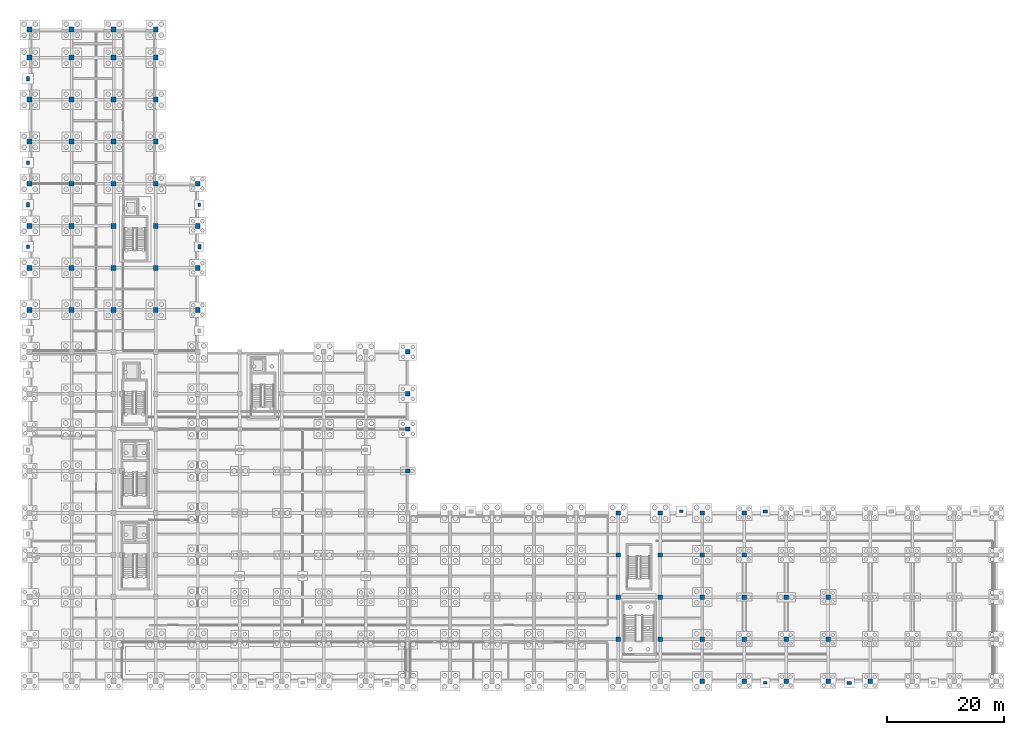
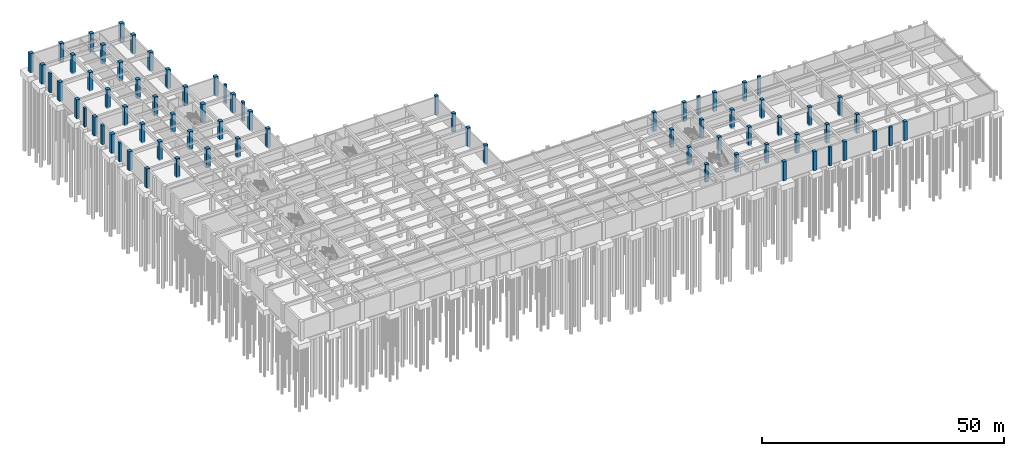
# One storey, part 10 of 28: 75 columns.
"""IFC4 building model written with IfcOpenShell, lengths in metres."""

from ifc_helpers import new_model, si_unit, direction, frame, origin, origin_2d, place, context, subcontext, project, spatial, rectangle, extrude, material, material_profile, profile_set, type_object, element, save


model = new_model("IFC4")

# Units and contexts
model_context = context("Model", 3, precision=1e-05, world=origin(), true_north=direction((0.0, 1.0)))
body_context = subcontext(model_context, "Body", "Model", "MODEL_VIEW")
ifc_project = project(units=[si_unit("LENGTHUNIT", "METRE"), si_unit("AREAUNIT", "SQUARE_METRE"), si_unit("VOLUMEUNIT", "CUBIC_METRE"), si_unit("PLANEANGLEUNIT", "RADIAN"), si_unit("MASSUNIT", "GRAM", prefix="KILO")], contexts=[model_context])

# Site, building, storey
site_placement = place(None, origin())
site = spatial("IfcSite", under=ifc_project, at=site_placement, CompositionType="ELEMENT")
building_placement = place(site_placement, origin())
building = spatial("IfcBuilding", under=site, at=building_placement, Name="Alvorim Cloister Faculty of Sciences", CompositionType="ELEMENT")
storey_placement = place(building_placement, frame((0.0, 0.0, -4.5)))
storey = spatial("IfcBuildingStorey", under=building, at=storey_placement, Name="B01", CompositionType="ELEMENT", Elevation=-4.5)

# Columns
ifc_material_1 = material(Name="Concrete C40", Category="concrete")
ifc_material_profile_1 = material_profile(ifc_material_1, rectangle(XDim=0.75, YDim=0.75, at=origin_2d()), Name="RC40-COL-750x750")
ifc_profile_set_1 = profile_set([ifc_material_profile_1], Name="Concrete C40")
column_type_1 = type_object("IfcColumnType", Name="COL-RC-750", PredefinedType="COLUMN", material=ifc_profile_set_1)
for number, where, z_axis, x_axis, name in (
    (1, (64.800048828125, 36.0, -0.300048828125), (0.0, 0.0, 1.0), (1.0, 0.0, 0.0), "B01 Column COL-0126"),
    (2, (64.800048828125, 43.199951171875, -0.300048828125), (0.0, 0.0, 1.0), (1.0, 0.0, 0.0), "B01 Column COL-0127"),
    (3, (64.800048828125, 49.199951171875, -0.300048828125), (0.0, 0.0, 1.0), (1.0, 0.0, 0.0), "B01 Column COL-0128"),
    (4, (64.800048828125, 56.39990234375, -0.300048828125), (0.0, 0.0, 1.0), (1.0, 0.0, 0.0), "B01 Column COL-0129"),
):
    element("IfcColumn", number, at=place(storey_placement, frame(where, z_axis=z_axis, x_axis=x_axis)), inside=storey, type_object=column_type_1, Name=name, PredefinedType="COLUMN", context=body_context, shape_type="SweptSolid", body=[
        extrude(rectangle(XDim=0.75, YDim=0.75, at=origin_2d()), origin(), (0.0, 0.0, 1.0), 4.800048828125),
    ])
for number, where, z_axis, x_axis, name in (
    (5, (100.800048828125, 7.199951171875, 0.0), (0.0, 0.0, 1.0), (1.0, 0.0, 0.0), "B01 Column COL-0151"),
    (6, (100.800048828125, 14.39990234375, 0.0), (0.0, 0.0, 1.0), (1.0, 0.0, 0.0), "B01 Column COL-0152"),
    (7, (100.800048828125, 21.60009765625, 0.0), (0.0, 0.0, 1.0), (1.0, 0.0, 0.0), "B01 Column COL-0153"),
):
    element("IfcColumn", number, at=place(storey_placement, frame(where, z_axis=z_axis, x_axis=x_axis)), inside=storey, type_object=column_type_1, Name=name, PredefinedType="COLUMN", context=body_context, shape_type="SweptSolid", body=[
        extrude(rectangle(XDim=0.75, YDim=0.75, at=origin_2d()), origin(), (0.0, 0.0, 1.0), 4.5),
    ])
column_1_placement = place(storey_placement, frame((100.800048828125, 28.800048828125, -0.300048828125), z_axis=(0.0, 0.0, 1.0), x_axis=(1.0, 0.0, 0.0)))
element("IfcColumn", 8, at=column_1_placement, inside=storey, type_object=column_type_1, Name="B01 Column COL-0154", PredefinedType="COLUMN", context=body_context, shape_type="SweptSolid", body=[
    extrude(rectangle(XDim=0.75, YDim=0.75, at=origin_2d()), origin(), (0.0, 0.0, 1.0), 4.800048828125),
])
for number, where, z_axis, x_axis, name in (
    (9, (108.0, 7.199951171875, 0.0), (0.0, 0.0, 1.0), (1.0, 0.0, 0.0), "B01 Column COL-0156"),
    (10, (108.0, 14.39990234375, 0.0), (0.0, 0.0, 1.0), (1.0, 0.0, 0.0), "B01 Column COL-0157"),
    (11, (108.0, 21.60009765625, 0.0), (0.0, 0.0, 1.0), (1.0, 0.0, 0.0), "B01 Column COL-0158"),
):
    element("IfcColumn", number, at=place(storey_placement, frame(where, z_axis=z_axis, x_axis=x_axis)), inside=storey, type_object=column_type_1, Name=name, PredefinedType="COLUMN", context=body_context, shape_type="SweptSolid", body=[
        extrude(rectangle(XDim=0.75, YDim=0.75, at=origin_2d()), origin(), (0.0, 0.0, 1.0), 4.5),
    ])
for number, where, z_axis, x_axis, name in (
    (12, (108.0, 28.800048828125, -0.300048828125), (0.0, 0.0, 1.0), (1.0, 0.0, 0.0), "B01 Column COL-0159"),
    (13, (115.199951171875, 0.0, -0.300048828125), (0.0, 0.0, 1.0), (1.0, 0.0, 0.0), "B01 Column COL-0160"),
    (14, (115.199951171875, 7.199951171875, -0.300048828125), (0.0, 0.0, 1.0), (1.0, 0.0, 0.0), "B01 Column COL-0161"),
    (15, (115.199951171875, 14.39990234375, -0.300048828125), (0.0, 0.0, 1.0), (1.0, 0.0, 0.0), "B01 Column COL-0162"),
    (16, (115.199951171875, 21.60009765625, -0.300048828125), (0.0, 0.0, 1.0), (1.0, 0.0, 0.0), "B01 Column COL-0163"),
    (17, (115.199951171875, 28.800048828125, -0.300048828125), (0.0, 0.0, 1.0), (1.0, 0.0, 0.0), "B01 Column COL-0164"),
):
    element("IfcColumn", number, at=place(storey_placement, frame(where, z_axis=z_axis, x_axis=x_axis)), inside=storey, type_object=column_type_1, Name=name, PredefinedType="COLUMN", context=body_context, shape_type="SweptSolid", body=[
        extrude(rectangle(XDim=0.75, YDim=0.75, at=origin_2d()), origin(), (0.0, 0.0, 1.0), 4.800048828125),
    ])
for number, where, z_axis, x_axis, name in (
    (18, (122.39990234375, 0.0, -0.280029296875), (0.0, 0.0, 1.0), (1.0, 0.0, 0.0), "B01 Column COL-0165"),
    (19, (122.39990234375, 7.199951171875, -0.280029296875), (0.0, 0.0, 1.0), (1.0, 0.0, 0.0), "B01 Column COL-0166"),
    (20, (122.39990234375, 14.39990234375, -0.280029296875), (0.0, 0.0, 1.0), (1.0, 0.0, 0.0), "B01 Column COL-0167"),
    (21, (122.39990234375, 21.60009765625, -0.280029296875), (0.0, 0.0, 1.0), (1.0, 0.0, 0.0), "B01 Column COL-0168"),
    (22, (122.39990234375, 28.800048828125, -0.280029296875), (0.0, 0.0, 1.0), (1.0, 0.0, 0.0), "B01 Column COL-0169"),
    (23, (129.60009765625, 0.0, -0.280029296875), (0.0, 0.0, 1.0), (1.0, 0.0, 0.0), "B01 Column COL-0170"),
    (24, (129.60009765625, 7.199951171875, -0.280029296875), (0.0, 0.0, 1.0), (1.0, 0.0, 0.0), "B01 Column COL-0171"),
    (25, (129.60009765625, 14.39990234375, -0.280029296875), (0.0, 0.0, 1.0), (1.0, 0.0, 0.0), "B01 Column COL-0172"),
    (26, (136.800048828125, 0.0, -0.280029296875), (0.0, 0.0, 1.0), (1.0, 0.0, 0.0), "B01 Column COL-0175"),
    (27, (136.800048828125, 7.199951171875, -0.280029296875), (0.0, 0.0, 1.0), (1.0, 0.0, 0.0), "B01 Column COL-0176"),
    (28, (136.800048828125, 14.39990234375, -0.280029296875), (0.0, 0.0, 1.0), (1.0, 0.0, 0.0), "B01 Column COL-0177"),
    (29, (144.0, 0.0, -0.280029296875), (0.0, 0.0, 1.0), (1.0, 0.0, 0.0), "B01 Column COL-0180"),
):
    element("IfcColumn", number, at=place(storey_placement, frame(where, z_axis=z_axis, x_axis=x_axis)), inside=storey, type_object=column_type_1, Name=name, PredefinedType="COLUMN", context=body_context, shape_type="SweptSolid", body=[
        extrude(rectangle(XDim=0.75, YDim=0.75, at=origin_2d()), origin(), (0.0, 0.0, 1.0), 4.780029296875),
    ])
ifc_material_profile_2 = material_profile(ifc_material_1, rectangle(XDim=0.85009765625, YDim=0.85009765625, at=origin_2d()), Name="RC40-COL-850x850")
ifc_profile_set_2 = profile_set([ifc_material_profile_2], Name="Concrete C40")
column_type_2 = type_object("IfcColumnType", Name="COL-RC-850", PredefinedType="COLUMN", material=ifc_profile_set_2)
for number, where, z_axis, x_axis, name in (
    (30, (0.0, 63.60009765625, -0.280029296875), (0.0, 0.0, 1.0), (1.0, 0.0, 0.0), "B01 Column COL-0010"),
    (31, (0.0, 70.800048828125, -0.280029296875), (0.0, 0.0, 1.0), (1.0, 0.0, 0.0), "B01 Column COL-0011"),
    (32, (0.0, 78.0, -0.280029296875), (0.0, 0.0, 1.0), (1.0, 0.0, 0.0), "B01 Column COL-0012"),
    (33, (0.0, 85.199951171875, -0.280029296875), (0.0, 0.0, 1.0), (1.0, 0.0, 0.0), "B01 Column COL-0013"),
    (34, (0.0, 92.39990234375, -0.280029296875), (0.0, 0.0, 1.0), (1.0, 0.0, 0.0), "B01 Column COL-0014"),
    (35, (0.0, 99.60009765625, -0.280029296875), (0.0, 0.0, 1.0), (1.0, 0.0, 0.0), "B01 Column COL-0015"),
    (36, (0.0, 106.800048828125, -0.280029296875), (0.0, 0.0, 1.0), (1.0, 0.0, 0.0), "B01 Column COL-0016"),
    (37, (0.0, 111.60009765625, -0.280029296875), (0.0, 0.0, 1.0), (1.0, 0.0, 0.0), "B01 Column COL-0017"),
    (38, (7.199951171875, 63.60009765625, -0.280029296875), (0.0, 0.0, 1.0), (1.0, 0.0, 0.0), "B01 Column COL-0027"),
    (39, (7.199951171875, 70.800048828125, -0.280029296875), (0.0, 0.0, 1.0), (1.0, 0.0, 0.0), "B01 Column COL-0028"),
    (40, (7.199951171875, 78.0, -0.280029296875), (0.0, 0.0, 1.0), (1.0, 0.0, 0.0), "B01 Column COL-0029"),
    (41, (7.199951171875, 85.199951171875, -0.280029296875), (0.0, 0.0, 1.0), (1.0, 0.0, 0.0), "B01 Column COL-0030"),
    (42, (7.199951171875, 92.39990234375, -0.280029296875), (0.0, 0.0, 1.0), (1.0, 0.0, 0.0), "B01 Column COL-0031"),
    (43, (7.199951171875, 99.60009765625, -0.280029296875), (0.0, 0.0, 1.0), (1.0, 0.0, 0.0), "B01 Column COL-0032"),
    (44, (7.199951171875, 106.800048828125, -0.280029296875), (0.0, 0.0, 1.0), (1.0, 0.0, 0.0), "B01 Column COL-0033"),
    (45, (7.199951171875, 111.60009765625, -0.280029296875), (0.0, 0.0, 1.0), (1.0, 0.0, 0.0), "B01 Column COL-0034"),
    (46, (14.39990234375, 63.60009765625, -0.280029296875), (0.0, 0.0, 1.0), (1.0, 0.0, 0.0), "B01 Column COL-0044"),
):
    element("IfcColumn", number, at=place(storey_placement, frame(where, z_axis=z_axis, x_axis=x_axis)), inside=storey, type_object=column_type_2, Name=name, PredefinedType="COLUMN", context=body_context, shape_type="SweptSolid", body=[
        extrude(rectangle(XDim=0.85009765625, YDim=0.85009765625, at=origin_2d()), origin(), (0.0, 0.0, 1.0), 4.780029296875),
    ])
for number, where, z_axis, x_axis, name in (
    (47, (14.39990234375, 70.800048828125, 0.0), (0.0, 0.0, 1.0), (1.0, 0.0, 0.0), "B01 Column COL-0045"),
    (48, (14.39990234375, 78.0, 0.0), (0.0, 0.0, 1.0), (1.0, 0.0, 0.0), "B01 Column COL-0046"),
):
    element("IfcColumn", number, at=place(storey_placement, frame(where, z_axis=z_axis, x_axis=x_axis)), inside=storey, type_object=column_type_2, Name=name, PredefinedType="COLUMN", context=body_context, shape_type="SweptSolid", body=[
        extrude(rectangle(XDim=0.85009765625, YDim=0.85009765625, at=origin_2d()), origin(), (0.0, 0.0, 1.0), 4.5),
    ])
for number, where, z_axis, x_axis, name in (
    (49, (14.39990234375, 85.199951171875, -0.280029296875), (0.0, 0.0, 1.0), (1.0, 0.0, 0.0), "B01 Column COL-0047"),
    (50, (14.39990234375, 92.39990234375, -0.280029296875), (0.0, 0.0, 1.0), (1.0, 0.0, 0.0), "B01 Column COL-0048"),
    (51, (14.39990234375, 99.60009765625, -0.280029296875), (0.0, 0.0, 1.0), (1.0, 0.0, 0.0), "B01 Column COL-0049"),
    (52, (14.39990234375, 106.800048828125, -0.280029296875), (0.0, 0.0, 1.0), (1.0, 0.0, 0.0), "B01 Column COL-0050"),
    (53, (14.39990234375, 111.60009765625, -0.280029296875), (0.0, 0.0, 1.0), (1.0, 0.0, 0.0), "B01 Column COL-0051"),
    (54, (21.60009765625, 63.60009765625, -0.280029296875), (0.0, 0.0, 1.0), (1.0, 0.0, 0.0), "B01 Column COL-0064"),
):
    element("IfcColumn", number, at=place(storey_placement, frame(where, z_axis=z_axis, x_axis=x_axis)), inside=storey, type_object=column_type_2, Name=name, PredefinedType="COLUMN", context=body_context, shape_type="SweptSolid", body=[
        extrude(rectangle(XDim=0.85009765625, YDim=0.85009765625, at=origin_2d()), origin(), (0.0, 0.0, 1.0), 4.780029296875),
    ])
for number, where, z_axis, x_axis, name in (
    (55, (21.60009765625, 70.800048828125, 0.0), (0.0, 0.0, 1.0), (1.0, 0.0, 0.0), "B01 Column COL-0065"),
    (56, (21.60009765625, 78.0, 0.0), (0.0, 0.0, 1.0), (1.0, 0.0, 0.0), "B01 Column COL-0066"),
):
    element("IfcColumn", number, at=place(storey_placement, frame(where, z_axis=z_axis, x_axis=x_axis)), inside=storey, type_object=column_type_2, Name=name, PredefinedType="COLUMN", context=body_context, shape_type="SweptSolid", body=[
        extrude(rectangle(XDim=0.85009765625, YDim=0.85009765625, at=origin_2d()), origin(), (0.0, 0.0, 1.0), 4.5),
    ])
for number, where, z_axis, x_axis, name in (
    (57, (21.60009765625, 85.199951171875, -0.280029296875), (0.0, 0.0, 1.0), (1.0, 0.0, 0.0), "B01 Column COL-0067"),
    (58, (21.60009765625, 92.39990234375, -0.280029296875), (0.0, 0.0, 1.0), (1.0, 0.0, 0.0), "B01 Column COL-0068"),
    (59, (21.60009765625, 99.60009765625, -0.280029296875), (0.0, 0.0, 1.0), (1.0, 0.0, 0.0), "B01 Column COL-0069"),
    (60, (21.60009765625, 106.800048828125, -0.280029296875), (0.0, 0.0, 1.0), (1.0, 0.0, 0.0), "B01 Column COL-0070"),
    (61, (21.60009765625, 111.60009765625, -0.280029296875), (0.0, 0.0, 1.0), (1.0, 0.0, 0.0), "B01 Column COL-0071"),
    (62, (28.800048828125, 63.60009765625, -0.280029296875), (0.0, 0.0, 1.0), (1.0, 0.0, 0.0), "B01 Column COL-0081"),
    (63, (28.800048828125, 70.800048828125, -0.280029296875), (0.0, 0.0, 1.0), (1.0, 0.0, 0.0), "B01 Column COL-0082"),
    (64, (28.800048828125, 78.0, -0.280029296875), (0.0, 0.0, 1.0), (1.0, 0.0, 0.0), "B01 Column COL-0083"),
    (65, (28.800048828125, 85.199951171875, -0.280029296875), (0.0, 0.0, 1.0), (1.0, 0.0, 0.0), "B01 Column COL-0084"),
):
    element("IfcColumn", number, at=place(storey_placement, frame(where, z_axis=z_axis, x_axis=x_axis)), inside=storey, type_object=column_type_2, Name=name, PredefinedType="COLUMN", context=body_context, shape_type="SweptSolid", body=[
        extrude(rectangle(XDim=0.85009765625, YDim=0.85009765625, at=origin_2d()), origin(), (0.0, 0.0, 1.0), 4.780029296875),
    ])
ifc_material_2 = material(Name="Maua Grey Granite Stone", Category="masonry")
ifc_material_profile_3 = material_profile(ifc_material_2, rectangle(XDim=0.4599609375, YDim=0.6201171875, at=origin_2d()), Name="GRN-PIER-460x620")
ifc_profile_set_3 = profile_set([ifc_material_profile_3], Name="Maua Grey Granite Stone")
column_type_3 = type_object("IfcColumnType", Name="PIL-GRN-460x620", PredefinedType="PILASTER", material=ifc_profile_set_3)
for number, where, z_axis, x_axis, name in (
    (66, (-0.280029296875, 74.39990234375, -0.280029296875), (0.0, 0.0, 1.0), (1.0, 0.0, 0.0), "B01 Gothic Buttress Pier COL-1136"),
    (67, (-0.280029296875, 88.800048828125, -0.280029296875), (0.0, 0.0, 1.0), (1.0, 0.0, 0.0), "B01 Gothic Buttress Pier COL-1148"),
    (68, (29.080078125, 81.60009765625, -0.280029296875), (0.0, 0.0, 1.0), (1.0, 0.0, 0.0), "B01 Gothic Buttress Pier COL-1168"),
    (69, (126.0, -0.280029296875, -0.280029296875), (0.0, 0.0, 1.0), (0.0, 1.0, 0.0), "B01 Gothic Buttress Pier COL-1184"),
):
    element("IfcColumn", number, at=place(storey_placement, frame(where, z_axis=z_axis, x_axis=x_axis)), inside=storey, type_object=column_type_3, Name=name, PredefinedType="PILASTER", context=body_context, shape_type="SweptSolid", body=[
        extrude(rectangle(XDim=0.4599609375, YDim=0.6201171875, at=origin_2d()), origin(), (0.0, 0.0, 1.0), 4.780029296875),
    ])
column_2_placement = place(storey_placement, frame((111.60009765625, 29.080078125, -0.300048828125), z_axis=(0.0, 0.0, 1.0), x_axis=(0.0, 1.0, 0.0)))
element("IfcColumn", 70, at=column_2_placement, inside=storey, type_object=column_type_3, Name="B01 Gothic Buttress Pier COL-1199", PredefinedType="PILASTER", context=body_context, shape_type="SweptSolid", body=[
    extrude(rectangle(XDim=0.4599609375, YDim=0.6201171875, at=origin_2d()), origin(), (0.0, 0.0, 1.0), 4.800048828125),
])
ifc_material_profile_4 = material_profile(ifc_material_2, rectangle(XDim=0.52001953125, YDim=0.719970703125, at=origin_2d()), Name="GRN-PIER-520x720")
ifc_profile_set_4 = profile_set([ifc_material_profile_4], Name="Maua Grey Granite Stone")
column_type_4 = type_object("IfcColumnType", Name="PIL-GRN-520x720", PredefinedType="PILASTER", material=ifc_profile_set_4)
for number, where, z_axis, x_axis, name in (
    (71, (-0.280029296875, 81.60009765625, -0.280029296875), (0.0, 0.0, 1.0), (1.0, 0.0, 0.0), "B01 Gothic Buttress Pier COL-1142"),
    (72, (-0.280029296875, 103.199951171875, -0.280029296875), (0.0, 0.0, 1.0), (1.0, 0.0, 0.0), "B01 Gothic Buttress Pier COL-1154"),
    (73, (29.080078125, 74.39990234375, -0.280029296875), (0.0, 0.0, 1.0), (1.0, 0.0, 0.0), "B01 Gothic Buttress Pier COL-1164"),
    (74, (140.39990234375, -0.280029296875, -0.280029296875), (0.0, 0.0, 1.0), (0.0, 1.0, 0.0), "B01 Gothic Buttress Pier COL-1187"),
    (75, (126.0, 29.080078125, -0.280029296875), (0.0, 0.0, 1.0), (0.0, 1.0, 0.0), "B01 Gothic Buttress Pier COL-1205"),
):
    element("IfcColumn", number, at=place(storey_placement, frame(where, z_axis=z_axis, x_axis=x_axis)), inside=storey, type_object=column_type_4, Name=name, PredefinedType="PILASTER", context=body_context, shape_type="SweptSolid", body=[
        extrude(rectangle(XDim=0.52001953125, YDim=0.719970703125, at=origin_2d()), origin(), (0.0, 0.0, 1.0), 4.780029296875),
    ])

save(model, "model.ifc")
